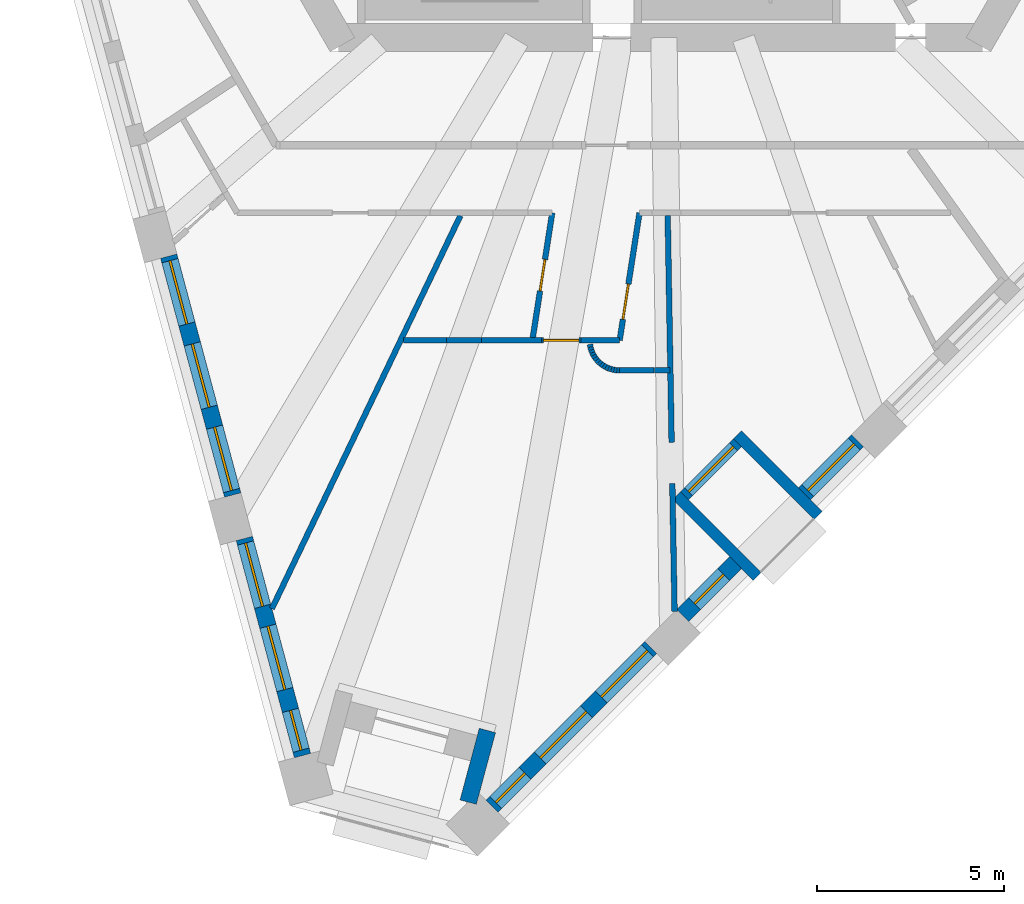
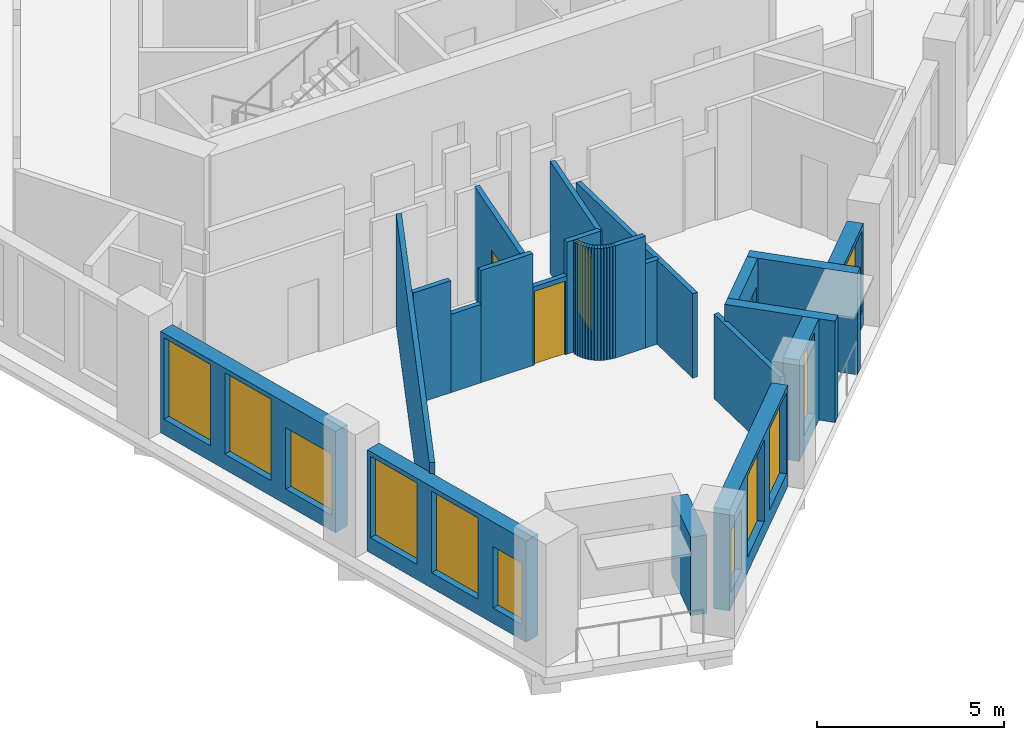
# One storey, part 2 of 13: 36 walls, 11 windows, 4 doors, 15 openings.
"""IFC4 building model written with IfcOpenShell, lengths in metres."""

from ifc_helpers import new_model, si_unit, direction, frame, frame_2d, origin, place, context, subcontext, project, spatial, rectangle, extrude, material, layer, layer_set, type_object, element, fill, save


model = new_model("IFC4")

# Units and contexts
model_context = context("Model", 3, precision=1e-05, world=origin(), true_north=direction((0.0, 1.0)))
body_context = subcontext(model_context, "Body", "Model", "MODEL_VIEW")
ifc_project = project(units=[si_unit("LENGTHUNIT", "METRE"), si_unit("AREAUNIT", "SQUARE_METRE"), si_unit("VOLUMEUNIT", "CUBIC_METRE"), si_unit("PLANEANGLEUNIT", "RADIAN"), si_unit("MASSUNIT", "GRAM", prefix="KILO")], contexts=[model_context])

# Site, building, storey
site_placement = place(None, origin())
site = spatial("IfcSite", under=ifc_project, at=site_placement, CompositionType="ELEMENT")
building_placement = place(site_placement, origin())
building = spatial("IfcBuilding", under=site, at=building_placement, Name="Tramontana Tower", CompositionType="ELEMENT")
storey_placement = place(building_placement, frame((0.0, 0.0, 212.0)))
storey = spatial("IfcBuildingStorey", under=building, at=storey_placement, Name="L49", CompositionType="ELEMENT", Elevation=212.0)

# Wall, openings, windows
ifc_material_1 = material(Name="Precast concrete 60 MPa", Category="concrete")
ifc_layer_1 = layer(ifc_material_1, 0.449951171875)
ifc_layer_set_1 = layer_set([ifc_layer_1], Name="Precast concrete 60 MPa, 450 mm")
wall_type_1 = type_object("IfcWallType", Name="EW1 Stone-faced precast wall 450", PredefinedType="SOLIDWALL", material=ifc_layer_set_1)
wall_1_placement = place(storey_placement, frame((-13.11328125, -12.2041015625, 0.0), z_axis=(0.0, 0.0, 1.0), x_axis=(0.258835402268, -0.965921443251, 0.0)))
wall_1 = element("IfcWall", 1, at=wall_1_placement, inside=storey, type_object=wall_type_1, Name="External wall L49 face 0 bay 5", PredefinedType="SOLIDWALL", context=body_context, shape_type="SweptSolid", body=[
    extrude(rectangle(XDim=6.593994140625, YDim=0.449951171875, at=frame_2d((3.296875, 0.0))), origin(), (0.0, 0.0, 1.0), 3.300048828125),
])
opening_1_placement = place(wall_1_placement, frame((0.1240234375, 0.0, 0.5)))
opening_1 = element("IfcOpeningElement", 2, at=opening_1_placement, cuts=wall_1, Name="Opening M2", PredefinedType="OPENING", context=body_context, shape_type="SweptSolid", body=[
    extrude(rectangle(XDim=1.75, YDim=2.64990234375, at=frame_2d((0.875, 1.324951171875))), frame((0.0, 0.23486328125, 0.0), z_axis=(0.0, -1.0, 0.0), x_axis=(1.0, 0.0, 0.0)), (0.0, 0.0, 1.0), 0.469970703125),
])
opening_2_placement = place(wall_1_placement, frame((2.422119140625, 0.0, 0.5)))
opening_2 = element("IfcOpeningElement", 3, at=opening_2_placement, cuts=wall_1, Name="Opening M2", PredefinedType="OPENING", context=body_context, shape_type="SweptSolid", body=[
    extrude(rectangle(XDim=1.75, YDim=2.64990234375, at=frame_2d((0.875, 1.324951171875))), frame((0.0, 0.23486328125, 0.0), z_axis=(0.0, -1.0, 0.0), x_axis=(1.0, 0.0, 0.0)), (0.0, 0.0, 1.0), 0.469970703125),
])
opening_3_placement = place(wall_1_placement, frame((4.72021484375, 0.0, 0.5)))
opening_3 = element("IfcOpeningElement", 4, at=opening_3_placement, cuts=wall_1, Name="Opening M2L", PredefinedType="OPENING", context=body_context, shape_type="SweptSolid", body=[
    extrude(rectangle(XDim=1.75, YDim=2.0, at=frame_2d((0.875, 1.0))), frame((0.0, 0.23486328125, 0.0), z_axis=(0.0, -1.0, 0.0), x_axis=(1.0, 0.0, 0.0)), (0.0, 0.0, 1.0), 0.469970703125),
])
ifc_material_2 = material(Name="Aluminum frame, double glazing unit", Category="aluminium")
window_type_1 = type_object("IfcWindowType", Name="M2 Window 1.75 x 2.65", PartitioningType="SINGLE_PANEL", PredefinedType="WINDOW", material=ifc_material_2)
window_1_placement = place(opening_1_placement, origin())
window_1 = element("IfcWindow", 5, at=window_1_placement, inside=storey, type_object=window_type_1, Name="Window M2 L49 face 0 module 13", OverallHeight=2.64990234375, OverallWidth=1.75, PartitioningType="SINGLE_PANEL", PredefinedType="WINDOW", context=body_context, shape_type="SweptSolid", body=[
    extrude(rectangle(XDim=1.75, YDim=2.64990234375, at=frame_2d((0.875, 1.324951171875))), frame((0.0, 0.030029296875, 0.0), z_axis=(0.0, -1.0, 0.0), x_axis=(1.0, 0.0, 0.0)), (0.0, 0.0, 1.0), 0.06005859375),
])
fill(opening_1, window_1)
window_2_placement = place(opening_2_placement, origin())
window_2 = element("IfcWindow", 6, at=window_2_placement, inside=storey, type_object=window_type_1, Name="Window M2 L49 face 0 module 14", OverallHeight=2.64990234375, OverallWidth=1.75, PartitioningType="SINGLE_PANEL", PredefinedType="WINDOW", context=body_context, shape_type="SweptSolid", body=[
    extrude(rectangle(XDim=1.75, YDim=2.64990234375, at=frame_2d((0.875, 1.324951171875))), frame((0.0, 0.030029296875, 0.0), z_axis=(0.0, -1.0, 0.0), x_axis=(1.0, 0.0, 0.0)), (0.0, 0.0, 1.0), 0.06005859375),
])
fill(opening_2, window_2)
ifc_material_3 = material(Name="Aluminum frame, double glazing unit", Category="aluminium")
window_type_2 = type_object("IfcWindowType", Name="M2L Window 1.75 x 2", PartitioningType="SINGLE_PANEL", PredefinedType="WINDOW", material=ifc_material_3)
window_3_placement = place(opening_3_placement, origin())
window_3 = element("IfcWindow", 7, at=window_3_placement, inside=storey, type_object=window_type_2, Name="Window M2L L49 face 0 module 15", OverallHeight=2.0, OverallWidth=1.75, PartitioningType="SINGLE_PANEL", PredefinedType="WINDOW", context=body_context, shape_type="SweptSolid", body=[
    extrude(rectangle(XDim=1.75, YDim=2.0, at=frame_2d((0.875, 1.0))), frame((0.0, 0.030029296875, 0.0), z_axis=(0.0, -1.0, 0.0), x_axis=(1.0, 0.0, 0.0)), (0.0, 0.0, 1.0), 0.06005859375),
])
fill(opening_3, window_3)

wall_2_placement = place(storey_placement, frame((-11.095947265625, -19.732666015625, 0.0), z_axis=(0.0, 0.0, 1.0), x_axis=(0.258831089404, -0.965922598948, 0.0)))
wall_2 = element("IfcWall", 8, at=wall_2_placement, inside=storey, type_object=wall_type_1, Name="External wall L49 face 0 bay 6", PredefinedType="SOLIDWALL", context=body_context, shape_type="SweptSolid", body=[
    extrude(rectangle(XDim=5.994384765625, YDim=0.449951171875, at=frame_2d((2.9970703125, 0.0))), origin(), (0.0, 0.0, 1.0), 3.300048828125),
])
opening_4_placement = place(wall_2_placement, frame((0.1240234375, 0.0, 0.5)))
opening_4 = element("IfcOpeningElement", 9, at=opening_4_placement, cuts=wall_2, Name="Opening M2", PredefinedType="OPENING", context=body_context, shape_type="SweptSolid", body=[
    extrude(rectangle(XDim=1.75, YDim=2.64990234375, at=frame_2d((0.875, 1.324951171875))), frame((0.0, 0.23486328125, 0.0), z_axis=(0.0, -1.0, 0.0), x_axis=(1.0, 0.0, 0.0)), (0.0, 0.0, 1.0), 0.469970703125),
])
opening_5_placement = place(wall_2_placement, frame((2.422119140625, 0.0, 0.5)))
opening_5 = element("IfcOpeningElement", 10, at=opening_5_placement, cuts=wall_2, Name="Opening M2", PredefinedType="OPENING", context=body_context, shape_type="SweptSolid", body=[
    extrude(rectangle(XDim=1.75, YDim=2.64990234375, at=frame_2d((0.875, 1.324951171875))), frame((0.0, 0.23486328125, 0.0), z_axis=(0.0, -1.0, 0.0), x_axis=(1.0, 0.0, 0.0)), (0.0, 0.0, 1.0), 0.469970703125),
])
opening_6_placement = place(wall_2_placement, frame((4.7451171875, 0.0, 0.5)))
opening_6 = element("IfcOpeningElement", 11, at=opening_6_placement, cuts=wall_2, Name="Opening N2L", PredefinedType="OPENING", context=body_context, shape_type="SweptSolid", body=[
    extrude(rectangle(XDim=1.10009765625, YDim=2.0, at=frame_2d((0.550048828125, 1.0))), frame((0.0, 0.23486328125, 0.0), z_axis=(0.0, -1.0, 0.0), x_axis=(1.0, 0.0, 0.0)), (0.0, 0.0, 1.0), 0.469970703125),
])
window_4_placement = place(opening_4_placement, origin())
window_4 = element("IfcWindow", 12, at=window_4_placement, inside=storey, type_object=window_type_1, Name="Window M2 L49 face 0 module 16", OverallHeight=2.64990234375, OverallWidth=1.75, PartitioningType="SINGLE_PANEL", PredefinedType="WINDOW", context=body_context, shape_type="SweptSolid", body=[
    extrude(rectangle(XDim=1.75, YDim=2.64990234375, at=frame_2d((0.875, 1.324951171875))), frame((0.0, 0.030029296875, 0.0), z_axis=(0.0, -1.0, 0.0), x_axis=(1.0, 0.0, 0.0)), (0.0, 0.0, 1.0), 0.06005859375),
])
fill(opening_4, window_4)
window_5_placement = place(opening_5_placement, origin())
window_5 = element("IfcWindow", 13, at=window_5_placement, inside=storey, type_object=window_type_1, Name="Window M2 L49 face 0 module 17", OverallHeight=2.64990234375, OverallWidth=1.75, PartitioningType="SINGLE_PANEL", PredefinedType="WINDOW", context=body_context, shape_type="SweptSolid", body=[
    extrude(rectangle(XDim=1.75, YDim=2.64990234375, at=frame_2d((0.875, 1.324951171875))), frame((0.0, 0.030029296875, 0.0), z_axis=(0.0, -1.0, 0.0), x_axis=(1.0, 0.0, 0.0)), (0.0, 0.0, 1.0), 0.06005859375),
])
fill(opening_5, window_5)
ifc_material_4 = material(Name="Aluminum frame, double glazing unit", Category="aluminium")
window_type_3 = type_object("IfcWindowType", Name="N2L Window 1.1 x 2", PartitioningType="SINGLE_PANEL", PredefinedType="WINDOW", material=ifc_material_4)
window_6_placement = place(opening_6_placement, origin())
window_6 = element("IfcWindow", 14, at=window_6_placement, inside=storey, type_object=window_type_3, Name="Window N2L L49 face 0 module 18", OverallHeight=2.0, OverallWidth=1.10009765625, PartitioningType="SINGLE_PANEL", PredefinedType="WINDOW", context=body_context, shape_type="SweptSolid", body=[
    extrude(rectangle(XDim=1.10009765625, YDim=2.0, at=frame_2d((0.550048828125, 1.0))), frame((0.0, 0.030029296875, 0.0), z_axis=(0.0, -1.0, 0.0), x_axis=(1.0, 0.0, 0.0)), (0.0, 0.0, 1.0), 0.06005859375),
])
fill(opening_6, window_6)

wall_3_placement = place(storey_placement, frame((-4.49560546875, -26.87548828125, 0.0), z_axis=(0.0, 0.0, 1.0), x_axis=(0.707106781187, 0.707106781187, 0.0)))
wall_3 = element("IfcWall", 15, at=wall_3_placement, inside=storey, type_object=wall_type_1, Name="External wall L49 face 1 bay 1", PredefinedType="SOLIDWALL", context=body_context, shape_type="SweptSolid", body=[
    extrude(rectangle(XDim=5.994140625, YDim=0.449951171875, at=frame_2d((2.9970703125, 0.0))), origin(), (0.0, 0.0, 1.0), 3.300048828125),
])
opening_7_placement = place(wall_3_placement, frame((0.14892578125, 0.0, 0.5)))
opening_7 = element("IfcOpeningElement", 16, at=opening_7_placement, cuts=wall_3, Name="Opening N2L", PredefinedType="OPENING", context=body_context, shape_type="SweptSolid", body=[
    extrude(rectangle(XDim=1.10009765625, YDim=2.0, at=frame_2d((0.550048828125, 1.0))), frame((0.0, 0.23486328125, 0.0), z_axis=(0.0, -1.0, 0.0), x_axis=(1.0, 0.0, 0.0)), (0.0, 0.0, 1.0), 0.469970703125),
])
opening_8_placement = place(wall_3_placement, frame((1.822021484375, 0.0, 0.5)))
opening_8 = element("IfcOpeningElement", 17, at=opening_8_placement, cuts=wall_3, Name="Opening M2", PredefinedType="OPENING", context=body_context, shape_type="SweptSolid", body=[
    extrude(rectangle(XDim=1.75, YDim=2.64990234375, at=frame_2d((0.875, 1.324951171875))), frame((0.0, 0.23486328125, 0.0), z_axis=(0.0, -1.0, 0.0), x_axis=(1.0, 0.0, 0.0)), (0.0, 0.0, 1.0), 0.469970703125),
])
opening_9_placement = place(wall_3_placement, frame((4.1201171875, 0.0, 0.5)))
opening_9 = element("IfcOpeningElement", 18, at=opening_9_placement, cuts=wall_3, Name="Opening M2", PredefinedType="OPENING", context=body_context, shape_type="SweptSolid", body=[
    extrude(rectangle(XDim=1.75, YDim=2.64990234375, at=frame_2d((0.875, 1.324951171875))), frame((0.0, 0.23486328125, 0.0), z_axis=(0.0, -1.0, 0.0), x_axis=(1.0, 0.0, 0.0)), (0.0, 0.0, 1.0), 0.469970703125),
])
window_7_placement = place(opening_8_placement, origin())
window_7 = element("IfcWindow", 19, at=window_7_placement, inside=storey, type_object=window_type_1, Name="Window M2 L49 face 1 module 2", OverallHeight=2.64990234375, OverallWidth=1.75, PartitioningType="SINGLE_PANEL", PredefinedType="WINDOW", context=body_context, shape_type="SweptSolid", body=[
    extrude(rectangle(XDim=1.75, YDim=2.64990234375, at=frame_2d((0.875, 1.324951171875))), frame((0.0, 0.030029296875, 0.0), z_axis=(0.0, -1.0, 0.0), x_axis=(1.0, 0.0, 0.0)), (0.0, 0.0, 1.0), 0.06005859375),
])
fill(opening_8, window_7)
window_8_placement = place(opening_9_placement, origin())
window_8 = element("IfcWindow", 20, at=window_8_placement, inside=storey, type_object=window_type_1, Name="Window M2 L49 face 1 module 3", OverallHeight=2.64990234375, OverallWidth=1.75, PartitioningType="SINGLE_PANEL", PredefinedType="WINDOW", context=body_context, shape_type="SweptSolid", body=[
    extrude(rectangle(XDim=1.75, YDim=2.64990234375, at=frame_2d((0.875, 1.324951171875))), frame((0.0, 0.030029296875, 0.0), z_axis=(0.0, -1.0, 0.0), x_axis=(1.0, 0.0, 0.0)), (0.0, 0.0, 1.0), 0.06005859375),
])
fill(opening_9, window_8)
window_9_placement = place(opening_7_placement, origin())
window_9 = element("IfcWindow", 21, at=window_9_placement, inside=storey, type_object=window_type_3, Name="Window N2L L49 face 1 module 1", OverallHeight=2.0, OverallWidth=1.10009765625, PartitioningType="SINGLE_PANEL", PredefinedType="WINDOW", context=body_context, shape_type="SweptSolid", body=[
    extrude(rectangle(XDim=1.10009765625, YDim=2.0, at=frame_2d((0.550048828125, 1.0))), frame((0.0, 0.030029296875, 0.0), z_axis=(0.0, -1.0, 0.0), x_axis=(1.0, 0.0, 0.0)), (0.0, 0.0, 1.0), 0.06005859375),
])
fill(opening_7, window_9)

# Wall, opening, window
wall_4_placement = place(storey_placement, frame((0.591552734375, -21.788330078125, 0.0), z_axis=(0.0, 0.0, 1.0), x_axis=(0.707106781187, 0.707106781187, 0.0)))
wall_4 = element("IfcWall", 22, at=wall_4_placement, inside=storey, type_object=wall_type_1, Name="External wall L49 face 1 bay 2", PredefinedType="SOLIDWALL", context=body_context, shape_type="SweptSolid", body=[
    extrude(rectangle(XDim=1.998046875, YDim=0.449951171875, at=frame_2d((0.9990234375, 0.0))), origin(), (0.0, 0.0, 1.0), 3.300048828125),
])
opening_10_placement = place(wall_4_placement, frame((0.448974609375, 0.0, 0.5)))
opening_10 = element("IfcOpeningElement", 23, at=opening_10_placement, cuts=wall_4, Name="Opening N2", PredefinedType="OPENING", context=body_context, shape_type="SweptSolid", body=[
    extrude(rectangle(XDim=1.10009765625, YDim=2.64990234375, at=frame_2d((0.550048828125, 1.324951171875))), frame((0.0, 0.23486328125, 0.0), z_axis=(0.0, -1.0, 0.0), x_axis=(1.0, 0.0, 0.0)), (0.0, 0.0, 1.0), 0.469970703125),
])
ifc_material_5 = material(Name="Aluminum frame, double glazing unit", Category="aluminium")
window_type_4 = type_object("IfcWindowType", Name="N2 Window 1.1 x 2.65", PartitioningType="SINGLE_PANEL", PredefinedType="WINDOW", material=ifc_material_5)
window_10_placement = place(opening_10_placement, origin())
window_10 = element("IfcWindow", 24, at=window_10_placement, inside=storey, type_object=window_type_4, Name="Window N2 L49 face 1 module 4", OverallHeight=2.64990234375, OverallWidth=1.10009765625, PartitioningType="SINGLE_PANEL", PredefinedType="WINDOW", context=body_context, shape_type="SweptSolid", body=[
    extrude(rectangle(XDim=1.10009765625, YDim=2.64990234375, at=frame_2d((0.550048828125, 1.324951171875))), frame((0.0, 0.030029296875, 0.0), z_axis=(0.0, -1.0, 0.0), x_axis=(1.0, 0.0, 0.0)), (0.0, 0.0, 1.0), 0.06005859375),
])
fill(opening_10, window_10)

wall_5_placement = place(storey_placement, frame((3.841552734375, -18.538330078125, 0.0), z_axis=(0.0, 0.0, 1.0), x_axis=(0.707106781187, 0.707106781187, 0.0)))
wall_5 = element("IfcWall", 25, at=wall_5_placement, inside=storey, type_object=wall_type_1, Name="External wall L49 face 1 bay 2", PredefinedType="SOLIDWALL", context=body_context, shape_type="SweptSolid", body=[
    extrude(rectangle(XDim=1.998046875, YDim=0.449951171875, at=frame_2d((0.9990234375, 0.0))), origin(), (0.0, 0.0, 1.0), 3.300048828125),
])
opening_11_placement = place(wall_5_placement, frame((0.1240234375, 0.0, 0.5)))
opening_11 = element("IfcOpeningElement", 26, at=opening_11_placement, cuts=wall_5, Name="Opening M2", PredefinedType="OPENING", context=body_context, shape_type="SweptSolid", body=[
    extrude(rectangle(XDim=1.75, YDim=2.64990234375, at=frame_2d((0.875, 1.324951171875))), frame((0.0, 0.23486328125, 0.0), z_axis=(0.0, -1.0, 0.0), x_axis=(1.0, 0.0, 0.0)), (0.0, 0.0, 1.0), 0.469970703125),
])
window_11_placement = place(opening_11_placement, origin())
window_11 = element("IfcWindow", 27, at=window_11_placement, inside=storey, type_object=window_type_1, Name="Window M2 L49 face 1 module 6", OverallHeight=2.64990234375, OverallWidth=1.75, PartitioningType="SINGLE_PANEL", PredefinedType="WINDOW", context=body_context, shape_type="SweptSolid", body=[
    extrude(rectangle(XDim=1.75, YDim=2.64990234375, at=frame_2d((0.875, 1.324951171875))), frame((0.0, 0.030029296875, 0.0), z_axis=(0.0, -1.0, 0.0), x_axis=(1.0, 0.0, 0.0)), (0.0, 0.0, 1.0), 0.06005859375),
])
fill(opening_11, window_11)

# Wall
wall_6_placement = place(storey_placement, frame((-5.126708984375, -26.76416015625, 0.0), z_axis=(0.0, 0.0, 1.0), x_axis=(0.258814190615, 0.965927127032, 0.0)))
element("IfcWall", 28, at=wall_6_placement, inside=storey, type_object=wall_type_1, Name="Corner loggia side wall L49 K51l", PredefinedType="SOLIDWALL", context=body_context, shape_type="SweptSolid", body=[
    extrude(rectangle(XDim=1.97900390625, YDim=0.449951171875, at=frame_2d((0.989501953125, 0.0))), origin(), (0.0, 0.0, 1.0), 2.550048828125),
])

# Wall, opening, door
ifc_material_6 = material(Name="Precast concrete 60 MPa", Category="concrete")
ifc_layer_2 = layer(ifc_material_6, 0.300048828125)
ifc_layer_set_2 = layer_set([ifc_layer_2], Name="LW1 Stone-faced loggia wall 300")
wall_type_2 = type_object("IfcWallType", Name="LW1 Stone-faced loggia wall 300", PredefinedType="SOLIDWALL", material=ifc_layer_set_2)
wall_7_placement = place(storey_placement, frame((0.643310546875, -18.590087890625, 0.0), z_axis=(0.0, 0.0, 1.0), x_axis=(0.707106781187, 0.707106781187, 0.0)))
wall_7 = element("IfcWall", 29, at=wall_7_placement, inside=storey, type_object=wall_type_2, Name="Loggia wall L49 G5S1.4", PredefinedType="SOLIDWALL", context=body_context, shape_type="SweptSolid", body=[
    extrude(rectangle(XDim=1.998046875, YDim=0.300048828125, at=frame_2d((0.9990234375, 0.0))), origin(), (0.0, 0.0, 1.0), 3.300048828125),
])
opening_12_placement = place(wall_7_placement, frame((0.14892578125, 0.0, 0.0)))
opening_12 = element("IfcOpeningElement", 30, at=opening_12_placement, cuts=wall_7, Name="Opening BD-5S1-04", PredefinedType="OPENING", context=body_context, shape_type="SweptSolid", body=[
    extrude(rectangle(XDim=1.699951171875, YDim=2.449951171875, at=frame_2d((0.85009765625, 1.22509765625))), frame((0.0, 0.159912109375, 0.0), z_axis=(0.0, -1.0, 0.0), x_axis=(1.0, 0.0, 0.0)), (0.0, 0.0, 1.0), 0.320068359375),
])
ifc_material_7 = material(Name="Aluminum frame, double glazing unit", Category="aluminium")
door_type_1 = type_object("IfcDoorType", Name="BD2 Sliding door 1.7 x 2.45", OperationType="SLIDING_TO_LEFT", PredefinedType="DOOR", material=ifc_material_7)
door_1_placement = place(opening_12_placement, origin())
door_1 = element("IfcDoor", 31, at=door_1_placement, inside=storey, type_object=door_type_1, Name="Loggia door L49 G5S1.4", OperationType="SLIDING_TO_LEFT", OverallHeight=2.449951171875, OverallWidth=1.699951171875, PredefinedType="DOOR", context=body_context, shape_type="SweptSolid", body=[
    extrude(rectangle(XDim=1.699951171875, YDim=2.449951171875, at=frame_2d((0.85009765625, 1.22509765625))), frame((0.0, 0.02490234375, 0.0), z_axis=(0.0, -1.0, 0.0), x_axis=(1.0, 0.0, 0.0)), (0.0, 0.0, 1.0), 0.050048828125),
])
fill(opening_12, door_1)

# Walls
for number, where, z_axis, x_axis, name in (
    (32, (2.587646484375, -20.746826171875, 0.0), (0.0, 0.0, 1.0), (-0.707066755897, 0.707146804211, 0.0), "Loggia return L49 G5S1.4a"),
    (33, (4.212646484375, -19.121826171875, 0.0), (0.0, 0.0, 1.0), (-0.707066755897, 0.707146804211, 0.0), "Loggia return L49 G5S1.4b"),
):
    element("IfcWall", number, at=place(storey_placement, frame(where, z_axis=z_axis, x_axis=x_axis)), inside=storey, type_object=wall_type_2, Name=name, PredefinedType="SOLIDWALL", context=body_context, shape_type="SweptSolid", body=[
        extrude(rectangle(XDim=3.0498046875, YDim=0.300048828125, at=frame_2d((1.52490234375, 0.0))), origin(), (0.0, 0.0, 1.0), 3.300048828125),
    ])
ifc_material_8 = material(Name="Gypsum board partition")
ifc_layer_3 = layer(ifc_material_8, 0.14990234375)
ifc_layer_set_3 = layer_set([ifc_layer_3], Name="PARTITION 150")
wall_type_3 = type_object("IfcWallType", Name="PARTITION 150", PredefinedType="PARTITIONING", material=ifc_layer_set_3)
wall_8_placement = place(storey_placement, frame((-10.361328125, -21.604248046875, 0.0), z_axis=(0.0, 0.0, 1.0), x_axis=(0.432440122573, 0.901662653318, 0.0)))
element("IfcWall", 34, at=wall_8_placement, inside=storey, type_object=wall_type_3, Name="Wall v51-pw26", PredefinedType="PARTITIONING", context=body_context, shape_type="SweptSolid", body=[
    extrude(rectangle(XDim=11.6220703125, YDim=0.14990234375, at=frame_2d((5.81103515625, 0.0))), origin(), (0.0, 0.0, 1.0), 3.64990234375),
])

# Wall, opening, door
wall_9_placement = place(storey_placement, frame((-3.40380859375, -14.375, 0.0), z_axis=(0.0, 0.0, 1.0), x_axis=(0.153954145104, 0.988077993483, 0.0)))
wall_9 = element("IfcWall", 35, at=wall_9_placement, inside=storey, type_object=wall_type_3, Name="Wall v51-pw31", PredefinedType="PARTITIONING", context=body_context, shape_type="SweptSolid", body=[
    extrude(rectangle(XDim=3.364990234375, YDim=0.14990234375, at=frame_2d((1.6826171875, 0.0))), origin(), (0.0, 0.0, 1.0), 3.64990234375),
])
opening_13_placement = place(wall_9_placement, frame((1.257568359375, 0.0, 0.0)))
opening_13 = element("IfcOpeningElement", 36, at=opening_13_placement, cuts=wall_9, Name="Opening B5B-07", PredefinedType="OPENING", context=body_context, shape_type="SweptSolid", body=[
    extrude(rectangle(XDim=0.85009765625, YDim=2.39990234375, at=frame_2d((0.425048828125, 1.199951171875))), frame((0.0, 0.0849609375, 0.0), z_axis=(0.0, -1.0, 0.0), x_axis=(1.0, 0.0, 0.0)), (0.0, 0.0, 1.0), 0.169921875),
])
ifc_material_9 = material(Name="Painted timber", Category="wood")
door_type_2 = type_object("IfcDoorType", Name="DOOR BATH 850", OperationType="SINGLE_SWING_LEFT", PredefinedType="DOOR", material=ifc_material_9)
door_2_placement = place(opening_13_placement, origin())
door_2 = element("IfcDoor", 37, at=door_2_placement, inside=storey, type_object=door_type_2, Name="Door B5B-07", OperationType="SINGLE_SWING_LEFT", OverallHeight=2.39990234375, OverallWidth=0.85009765625, PredefinedType="DOOR", context=body_context, shape_type="SweptSolid", body=[
    extrude(rectangle(XDim=0.85009765625, YDim=2.39990234375, at=frame_2d((0.425048828125, 1.199951171875))), frame((0.0, 0.02490234375, 0.0), z_axis=(0.0, -1.0, 0.0), x_axis=(1.0, 0.0, 0.0)), (0.0, 0.0, 1.0), 0.050048828125),
])
fill(opening_13, door_2)

# Walls
for number, where, z_axis, x_axis, name in (
    (38, (-1.866943359375, -14.63134765625, 0.0), (0.0, 0.0, 1.0), (-0.1788854382, 0.9838699101, 0.0), "Wall v51-pw33"),
    (39, (-1.845947265625, -14.705078125, 0.0), (0.0, 0.0, 1.0), (-0.274721127897, 0.961523947641, 0.0), "Wall v51-pw34"),
    (40, (-1.818115234375, -14.776611328125, 0.0), (0.0, 0.0, 1.0), (-0.363677532225, 0.931524907104, 0.0), "Wall v51-pw35"),
):
    element("IfcWall", number, at=place(storey_placement, frame(where, z_axis=z_axis, x_axis=x_axis)), inside=storey, type_object=wall_type_3, Name=name, PredefinedType="PARTITIONING", context=body_context, shape_type="SweptSolid", body=[
        extrude(rectangle(XDim=0.076416015625, YDim=0.14990234375, at=frame_2d((0.0380859375, 0.0))), origin(), (0.0, 0.0, 1.0), 3.64990234375),
    ])
for number, where, z_axis, x_axis, name in (
    (41, (-1.783447265625, -14.844970703125, 0.0), (0.0, 0.0, 1.0), (-0.452302704274, 0.8918644873, 0.0), "Wall v51-pw36"),
    (42, (-1.742431640625, -14.90966796875, 0.0), (0.0, 0.0, 1.0), (-0.535431141917, 0.844578884572, 0.0), "Wall v51-pw37"),
):
    element("IfcWall", number, at=place(storey_placement, frame(where, z_axis=z_axis, x_axis=x_axis)), inside=storey, type_object=wall_type_3, Name=name, PredefinedType="PARTITIONING", context=body_context, shape_type="SweptSolid", body=[
        extrude(rectangle(XDim=0.07666015625, YDim=0.14990234375, at=frame_2d((0.038330078125, 0.0))), origin(), (0.0, 0.0, 1.0), 3.64990234375),
    ])
for number, where, z_axis, x_axis, name in (
    (43, (-1.695556640625, -14.97021484375, 0.0), (0.0, 0.0, 1.0), (-0.613719296373, 0.789524303147, 0.0), "Wall v51-pw38"),
    (44, (-1.64306640625, -15.026123046875, 0.0), (0.0, 0.0, 1.0), (-0.684366522653, 0.729138164322, 0.0), "Wall v51-pw39"),
    (45, (-1.585205078125, -15.076416015625, 0.0), (0.0, 0.0, 1.0), (-0.753367147722, 0.657600137419, 0.0), "Wall v51-pw40"),
):
    element("IfcWall", number, at=place(storey_placement, frame(where, z_axis=z_axis, x_axis=x_axis)), inside=storey, type_object=wall_type_3, Name=name, PredefinedType="PARTITIONING", context=body_context, shape_type="SweptSolid", body=[
        extrude(rectangle(XDim=0.076416015625, YDim=0.14990234375, at=frame_2d((0.0380859375, 0.0))), origin(), (0.0, 0.0, 1.0), 3.64990234375),
    ])
for number, where, z_axis, x_axis, name in (
    (46, (-1.52294921875, -15.121337890625, 0.0), (0.0, 0.0, 1.0), (-0.812439824754, 0.583045050706, 0.0), "Wall v51-pw41"),
    (47, (-1.456787109375, -15.159912109375, 0.0), (0.0, 0.0, 1.0), (-0.863894497941, 0.503672806917, 0.0), "Wall v51-pw42"),
):
    element("IfcWall", number, at=place(storey_placement, frame(where, z_axis=z_axis, x_axis=x_axis)), inside=storey, type_object=wall_type_3, Name=name, PredefinedType="PARTITIONING", context=body_context, shape_type="SweptSolid", body=[
        extrude(rectangle(XDim=0.07666015625, YDim=0.14990234375, at=frame_2d((0.038330078125, 0.0))), origin(), (0.0, 0.0, 1.0), 3.64990234375),
    ])
for number, where, z_axis, x_axis, name in (
    (48, (-1.38720703125, -15.19189453125, 0.0), (0.0, 0.0, 1.0), (-0.908052943408, 0.418855406994, 0.0), "Wall v51-pw43"),
    (49, (-1.314697265625, -15.217041015625, 0.0), (0.0, 0.0, 1.0), (-0.944453743444, 0.328644376942, 0.0), "Wall v51-pw44"),
):
    element("IfcWall", number, at=place(storey_placement, frame(where, z_axis=z_axis, x_axis=x_axis)), inside=storey, type_object=wall_type_3, Name=name, PredefinedType="PARTITIONING", context=body_context, shape_type="SweptSolid", body=[
        extrude(rectangle(XDim=0.076416015625, YDim=0.14990234375, at=frame_2d((0.0380859375, 0.0))), origin(), (0.0, 0.0, 1.0), 3.64990234375),
    ])
wall_10_placement = place(storey_placement, frame((-1.240234375, -15.2353515625, 0.0), z_axis=(0.0, 0.0, 1.0), x_axis=(-0.9718058735, 0.235782408653, 0.0)))
element("IfcWall", 50, at=wall_10_placement, inside=storey, type_object=wall_type_3, Name="Wall v51-pw45", PredefinedType="PARTITIONING", context=body_context, shape_type="SweptSolid", body=[
    extrude(rectangle(XDim=0.07666015625, YDim=0.14990234375, at=frame_2d((0.038330078125, 0.0))), origin(), (0.0, 0.0, 1.0), 3.64990234375),
])
for number, where, z_axis, x_axis, name in (
    (51, (-1.16455078125, -15.246337890625, 0.0), (0.0, 0.0, 1.0), (-0.98962773674, 0.143655639204, 0.0), "Wall v51-pw46"),
    (52, (-1.087890625, -15.25, 0.0), (0.0, 0.0, 1.0), (-0.99885365176, 0.047868385867, 0.0), "Wall v51-pw47"),
):
    element("IfcWall", number, at=place(storey_placement, frame(where, z_axis=z_axis, x_axis=x_axis)), inside=storey, type_object=wall_type_3, Name=name, PredefinedType="PARTITIONING", context=body_context, shape_type="SweptSolid", body=[
        extrude(rectangle(XDim=0.076416015625, YDim=0.14990234375, at=frame_2d((0.0380859375, 0.0))), origin(), (0.0, 0.0, 1.0), 3.64990234375),
    ])
wall_11_placement = place(storey_placement, frame((-1.087890625, -14.449951171875, 0.0), z_axis=(0.0, 0.0, 1.0), x_axis=(-1.0, 0.0, 0.0)))
element("IfcWall", 53, at=wall_11_placement, inside=storey, type_object=wall_type_3, Name="Wall v51-pw48-0", PredefinedType="PARTITIONING", context=body_context, shape_type="SweptSolid", body=[
    extrude(rectangle(XDim=1.036865234375, YDim=0.14990234375, at=frame_2d((0.5185546875, 0.0))), origin(), (0.0, 0.0, 1.0), 3.64990234375),
])

# Wall, opening, door
wall_12_placement = place(storey_placement, frame((-2.124755859375, -14.449951171875, 0.0), z_axis=(0.0, 0.0, 1.0), x_axis=(-1.0, 0.0, 0.0)))
wall_12 = element("IfcWall", 54, at=wall_12_placement, inside=storey, type_object=wall_type_3, Name="Wall v51-pw48-1", PredefinedType="PARTITIONING", context=body_context, shape_type="SweptSolid", body=[
    extrude(rectangle(XDim=1.050048828125, YDim=0.14990234375, at=frame_2d((0.52490234375, 0.0))), origin(), (0.0, 0.0, 1.0), 2.550048828125),
])
opening_14_placement = place(wall_12_placement, frame((0.050048828125, 0.0, 0.0)))
opening_14 = element("IfcOpeningElement", 55, at=opening_14_placement, cuts=wall_12, Name="Opening B5B-08", PredefinedType="OPENING", context=body_context, shape_type="SweptSolid", body=[
    extrude(rectangle(XDim=0.949951171875, YDim=2.39990234375, at=frame_2d((0.47509765625, 1.199951171875))), frame((0.0, 0.0849609375, 0.0), z_axis=(0.0, -1.0, 0.0), x_axis=(1.0, 0.0, 0.0)), (0.0, 0.0, 1.0), 0.169921875),
])
ifc_material_10 = material(Name="Painted timber", Category="wood")
door_type_3 = type_object("IfcDoorType", Name="DOOR ROOM 950", OperationType="SINGLE_SWING_LEFT", PredefinedType="DOOR", material=ifc_material_10)
door_3_placement = place(opening_14_placement, origin())
door_3 = element("IfcDoor", 56, at=door_3_placement, inside=storey, type_object=door_type_3, Name="Door B5B-08", OperationType="SINGLE_SWING_RIGHT", OverallHeight=2.39990234375, OverallWidth=0.949951171875, PredefinedType="DOOR", context=body_context, shape_type="SweptSolid", body=[
    extrude(rectangle(XDim=0.949951171875, YDim=2.39990234375, at=frame_2d((0.47509765625, 1.199951171875))), frame((0.0, 0.02490234375, 0.0), z_axis=(0.0, -1.0, 0.0), x_axis=(1.0, 0.0, 0.0)), (0.0, 0.0, 1.0), 0.050048828125),
])
fill(opening_14, door_3)

# Walls
wall_13_placement = place(storey_placement, frame((-3.1748046875, -14.449951171875, 0.0), z_axis=(0.0, 0.0, 1.0), x_axis=(-1.0, 0.0, 0.0)))
element("IfcWall", 57, at=wall_13_placement, inside=storey, type_object=wall_type_3, Name="Wall v51-pw48-2", PredefinedType="PARTITIONING", context=body_context, shape_type="SweptSolid", body=[
    extrude(rectangle(XDim=1.593994140625, YDim=0.14990234375, at=frame_2d((0.796875, 0.0))), origin(), (0.0, 0.0, 1.0), 3.64990234375),
])
wall_14_placement = place(storey_placement, frame((-4.768798828125, -14.449951171875, 0.0), z_axis=(0.0, 0.0, 1.0), x_axis=(-1.0, 0.0, 0.0)))
element("IfcWall", 58, at=wall_14_placement, inside=storey, type_object=wall_type_3, Name="Wall v51-pw48-3", PredefinedType="PARTITIONING", context=body_context, shape_type="SweptSolid", body=[
    extrude(rectangle(XDim=0.930419921875, YDim=0.14990234375, at=frame_2d((0.46533203125, 0.0))), origin(), (0.0, 0.0, 1.0), 2.550048828125),
])
wall_15_placement = place(storey_placement, frame((-5.69921875, -14.449951171875, 0.0), z_axis=(0.0, 0.0, 1.0), x_axis=(-1.0, 0.0, 0.0)))
element("IfcWall", 59, at=wall_15_placement, inside=storey, type_object=wall_type_3, Name="Wall v51-pw48-4", PredefinedType="PARTITIONING", context=body_context, shape_type="SweptSolid", body=[
    extrude(rectangle(XDim=1.147705078125, YDim=0.14990234375, at=frame_2d((0.57373046875, 0.0))), origin(), (0.0, 0.0, 1.0), 3.64990234375),
])

# Wall, opening, door
wall_16_placement = place(storey_placement, frame((-0.55810546875, -11.050048828125, 0.0), z_axis=(0.0, 0.0, 1.0), x_axis=(-0.153965629941, -0.988076203942, 0.0)))
wall_16 = element("IfcWall", 60, at=wall_16_placement, inside=storey, type_object=wall_type_3, Name="Wall v51-pw49", PredefinedType="PARTITIONING", context=body_context, shape_type="SweptSolid", body=[
    extrude(rectangle(XDim=3.44091796875, YDim=0.14990234375, at=frame_2d((1.720458984375, 0.0))), origin(), (0.0, 0.0, 1.0), 3.64990234375),
])
opening_15_placement = place(wall_16_placement, frame((1.919921875, 0.0, 0.0)))
opening_15 = element("IfcOpeningElement", 61, at=opening_15_placement, cuts=wall_16, Name="Opening B5B-06", PredefinedType="OPENING", context=body_context, shape_type="SweptSolid", body=[
    extrude(rectangle(XDim=0.949951171875, YDim=2.39990234375, at=frame_2d((0.47509765625, 1.199951171875))), frame((0.0, 0.0849609375, 0.0), z_axis=(0.0, -1.0, 0.0), x_axis=(1.0, 0.0, 0.0)), (0.0, 0.0, 1.0), 0.169921875),
])
door_4_placement = place(opening_15_placement, origin())
door_4 = element("IfcDoor", 62, at=door_4_placement, inside=storey, type_object=door_type_3, Name="Door B5B-06", OperationType="SINGLE_SWING_RIGHT", OverallHeight=2.39990234375, OverallWidth=0.949951171875, PredefinedType="DOOR", context=body_context, shape_type="SweptSolid", body=[
    extrude(rectangle(XDim=0.949951171875, YDim=2.39990234375, at=frame_2d((0.47509765625, 1.199951171875))), frame((0.0, 0.02490234375, 0.0), z_axis=(0.0, -1.0, 0.0), x_axis=(1.0, 0.0, 0.0)), (0.0, 0.0, 1.0), 0.050048828125),
])
fill(opening_15, door_4)

# Walls
wall_17_placement = place(storey_placement, frame((0.193359375, -11.125, 0.0), z_axis=(0.0, 0.0, 1.0), x_axis=(0.017371817544, -0.999849098592, 0.0)))
element("IfcWall", 63, at=wall_17_placement, inside=storey, type_object=wall_type_3, Name="Wall v51-pw50-0", PredefinedType="PARTITIONING", context=body_context, shape_type="SweptSolid", body=[
    extrude(rectangle(XDim=6.043212890625, YDim=0.14990234375, at=frame_2d((3.021484375, 0.0))), origin(), (0.0, 0.0, 1.0), 2.75),
])
wall_18_placement = place(storey_placement, frame((0.251220703125, -15.25, 0.0), z_axis=(0.0, 0.0, 1.0), x_axis=(-1.0, 0.0, 0.0)))
element("IfcWall", 64, at=wall_18_placement, inside=storey, type_object=wall_type_3, Name="Wall v51-pw51-0", PredefinedType="PARTITIONING", context=body_context, shape_type="SweptSolid", body=[
    extrude(rectangle(XDim=0.416259765625, YDim=0.14990234375, at=frame_2d((0.2080078125, 0.0))), origin(), (0.0, 0.0, 1.0), 2.75),
])
wall_19_placement = place(storey_placement, frame((-0.1650390625, -15.25, 0.0), z_axis=(0.0, 0.0, 1.0), x_axis=(-1.0, 0.0, 0.0)))
element("IfcWall", 65, at=wall_19_placement, inside=storey, type_object=wall_type_3, Name="Wall v51-pw51-1", PredefinedType="PARTITIONING", context=body_context, shape_type="SweptSolid", body=[
    extrude(rectangle(XDim=0.922607421875, YDim=0.14990234375, at=frame_2d((0.46142578125, 0.0))), origin(), (0.0, 0.0, 1.0), 3.64990234375),
])
wall_20_placement = place(storey_placement, frame((0.3173828125, -18.264404296875, 0.0), z_axis=(0.0, 0.0, 1.0), x_axis=(0.017414733236, -0.999848352035, 0.0)))
element("IfcWall", 66, at=wall_20_placement, inside=storey, type_object=wall_type_3, Name="Wall v51-pw52-0", PredefinedType="PARTITIONING", context=body_context, shape_type="SweptSolid", body=[
    extrude(rectangle(XDim=3.420654296875, YDim=0.14990234375, at=frame_2d((1.71044921875, 0.0))), origin(), (0.0, 0.0, 1.0), 2.75),
])

save(model, "model.ifc")
